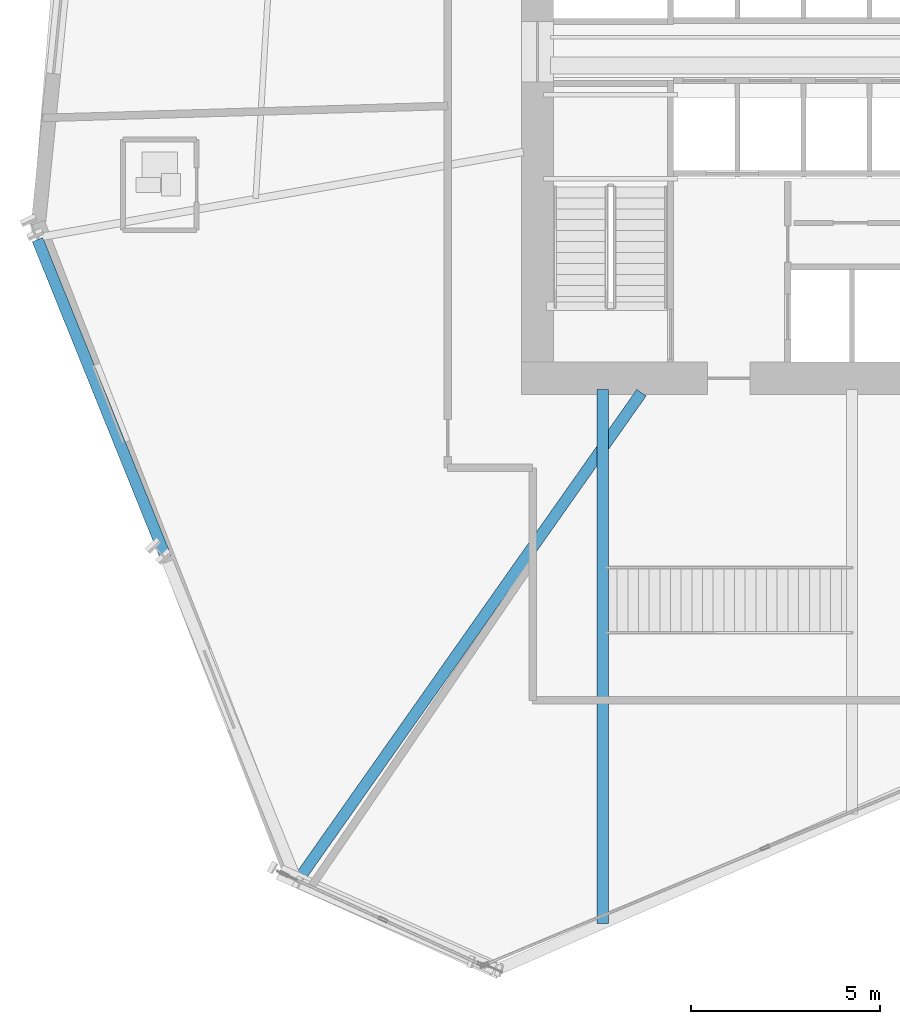
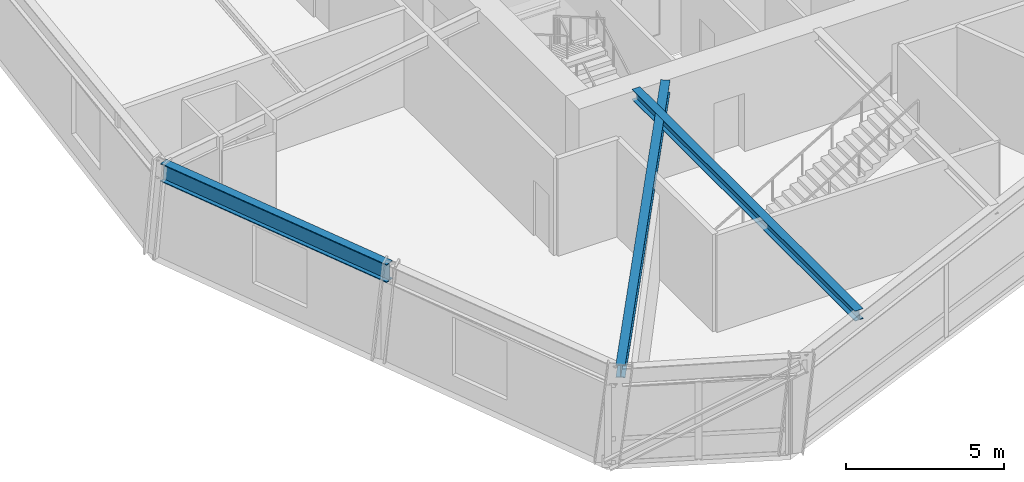
# One storey, part 3 of 19: 3 beams.
"""IFC4 building model written with IfcOpenShell, lengths in metres."""

from ifc_helpers import new_model, si_unit, direction, frame, origin, origin_2d, place, context, subcontext, project, spatial, i_section, extrude, source, transform, mapped, material, material_profile, profile_set, type_object, element, save


model = new_model("IFC4")

# Units and contexts
model_context = context("Model", 3, precision=1e-05, world=origin(), true_north=direction((0.0, 1.0)))
body_context = subcontext(model_context, "Body", "Model", "MODEL_VIEW")
ifc_project = project(units=[si_unit("LENGTHUNIT", "METRE"), si_unit("AREAUNIT", "SQUARE_METRE"), si_unit("VOLUMEUNIT", "CUBIC_METRE"), si_unit("PLANEANGLEUNIT", "RADIAN"), si_unit("MASSUNIT", "GRAM", prefix="KILO")], contexts=[model_context])

# Site, building, storey
site_placement = place(None, origin())
site = spatial("IfcSite", under=ifc_project, at=site_placement, CompositionType="ELEMENT")
building_placement = place(site_placement, origin())
building = spatial("IfcBuilding", under=site, at=building_placement, Name="Olszyna Solenne Hotel", CompositionType="ELEMENT")
storey_placement = place(building_placement, frame((0.0, 0.0, 71.89990234375)))
storey = spatial("IfcBuildingStorey", under=building, at=storey_placement, Name="L18", CompositionType="ELEMENT", Elevation=71.89990234375)

# Beams
ifc_material = material(Name="Steel S355J2", Category="steel")
ifc_material_profile_1 = material_profile(ifc_material, i_section(OverallWidth=0.300048828125, OverallDepth=0.699951171875, WebThickness=0.01708984375, FlangeThickness=0.031982421875, at=origin_2d()), Name="HEB 700", Category="load-bearing")
ifc_profile_set_1 = profile_set([ifc_material_profile_1], Name="Steel S355J2")
beam_type_1 = type_object("IfcBeamType", Name="BM-S1", PredefinedType="BEAM", material=ifc_profile_set_1)
shared_shape_1 = source(origin(), body_context, "Body", "SweptSolid", [
    extrude(i_section(OverallWidth=0.300048828125, OverallDepth=0.699951171875, WebThickness=0.01708984375, FlangeThickness=0.031982421875, at=origin_2d()), origin(), (0.0, 0.0, 1.0), 9.07568359375),
])
beam_1_placement = place(storey_placement, frame((16.441650390625, 22.739990234375, 3.400146484375), z_axis=(0.374537771467, -0.927211657468, 0.0), x_axis=(0.927211657468, 0.374537771467, 0.0)))
element("IfcBeam", 1, at=beam_1_placement, inside=storey, type_object=beam_type_1, Name="Perimeter spandrel beam BM-S1 B-L18-0556", PredefinedType="BEAM", context=body_context, shape_type="MappedRepresentation", body=[
    mapped(shared_shape_1, transform((0.0, 0.0, 0.0), x_axis=(1.0, 0.0, 0.0), y_axis=(0.0, 1.0, 0.0), z_axis=(0.0, 0.0, 1.0), scale=1.0)),
])
ifc_material_profile_2 = material_profile(ifc_material, i_section(OverallWidth=0.300048828125, OverallDepth=0.489990234375, WebThickness=0.011962890625, FlangeThickness=0.02294921875, at=origin_2d()), Name="HEA 500", Category="load-bearing")
ifc_profile_set_2 = profile_set([ifc_material_profile_2], Name="Steel S355J2")
beam_type_2 = type_object("IfcBeamType", Name="BM-G1", PredefinedType="BEAM", material=ifc_profile_set_2)
shared_shape_2 = source(origin(), body_context, "Body", "SweptSolid", [
    extrude(i_section(OverallWidth=0.300048828125, OverallDepth=0.489990234375, WebThickness=0.011962890625, FlangeThickness=0.02294921875, at=origin_2d()), origin(), (0.0, 0.0, 1.0), 15.77783203125),
])
beam_2_placement = place(storey_placement, frame((23.341796875, 5.792236328125, 3.505126953125), z_axis=(0.575899242439, 0.817520680202, 0.0), x_axis=(-0.817520680202, 0.575899242439, 0.0)))
element("IfcBeam", 2, at=beam_2_placement, inside=storey, type_object=beam_type_2, Name="Radial floor girder BM-G1 B-L18-0568", PredefinedType="BEAM", context=body_context, shape_type="MappedRepresentation", body=[
    mapped(shared_shape_2, transform((0.0, 0.0, 0.0), x_axis=(1.0, 0.0, 0.0), y_axis=(0.0, 1.0, 0.0), z_axis=(0.0, 0.0, 1.0), scale=1.0)),
])
ifc_material_profile_3 = material_profile(ifc_material, i_section(OverallWidth=0.300048828125, OverallDepth=0.389892578125, WebThickness=0.010986328125, FlangeThickness=0.01904296875, at=origin_2d()), Name="HEA 400", Category="load-bearing")
ifc_profile_set_3 = profile_set([ifc_material_profile_3], Name="Steel S355J2")
beam_type_3 = type_object("IfcBeamType", Name="BM-G2", PredefinedType="BEAM", material=ifc_profile_set_3)
shared_shape_3 = source(origin(), body_context, "Body", "SweptSolid", [
    extrude(i_section(OverallWidth=0.300048828125, OverallDepth=0.389892578125, WebThickness=0.010986328125, FlangeThickness=0.01904296875, at=origin_2d()), origin(), (0.0, 0.0, 1.0), 14.125244140625),
])
beam_3_placement = place(storey_placement, frame((31.39990234375, 4.644775390625, 3.55517578125), z_axis=(0.0, 1.0, 0.0), x_axis=(-1.0, 0.0, 0.0)))
element("IfcBeam", 3, at=beam_3_placement, inside=storey, type_object=beam_type_3, Name="Feature stair West trimmer girder BM-G2 B-L18-0572", PredefinedType="BEAM", context=body_context, shape_type="MappedRepresentation", body=[
    mapped(shared_shape_3, transform((0.0, 0.0, 0.0), x_axis=(1.0, 0.0, 0.0), y_axis=(0.0, 1.0, 0.0), z_axis=(0.0, 0.0, 1.0), scale=1.0)),
])

save(model, "model.ifc")
